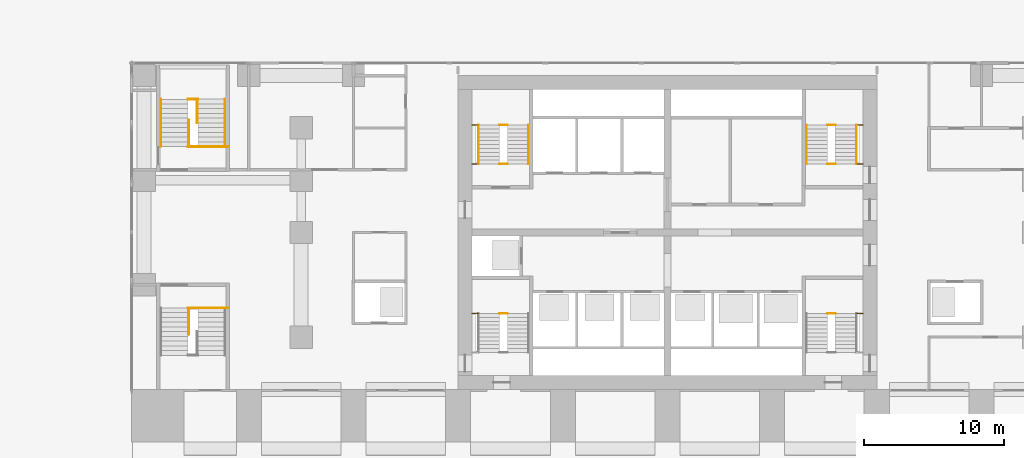
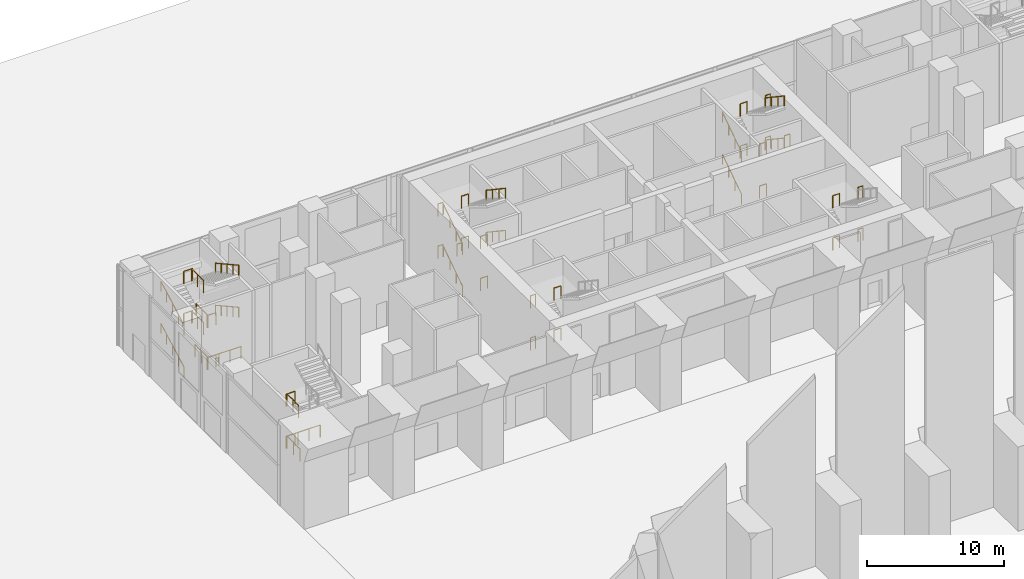
# One storey, part 19 of 21: 48 railings.
"""IFC4 building model written with IfcOpenShell, lengths in metres."""

from ifc_helpers import new_model, si_unit, direction, frame, origin, origin_2d, place, context, subcontext, project, spatial, circle, extrude, material, type_object, element, save


model = new_model("IFC4")

# Units and contexts
model_context = context("Model", 3, precision=1e-05, world=origin(), true_north=direction((0.0, 1.0)))
body_context = subcontext(model_context, "Body", "Model", "MODEL_VIEW")
ifc_project = project(units=[si_unit("LENGTHUNIT", "METRE"), si_unit("AREAUNIT", "SQUARE_METRE"), si_unit("VOLUMEUNIT", "CUBIC_METRE"), si_unit("PLANEANGLEUNIT", "RADIAN"), si_unit("MASSUNIT", "GRAM", prefix="KILO")], contexts=[model_context])

# Site, building, storey
site_placement = place(None, origin())
site = spatial("IfcSite", under=ifc_project, at=site_placement, CompositionType="ELEMENT")
building_placement = place(site_placement, origin())
building = spatial("IfcBuilding", under=site, at=building_placement, Name="Pilkhan Gate Tower", CompositionType="ELEMENT")
storey_placement = place(building_placement, origin())
storey = spatial("IfcBuildingStorey", under=building, at=storey_placement, Name="L00", CompositionType="ELEMENT", Elevation=0.0)

# Railings
ifc_material_1 = material(Name="Black powder-coated steel tube", Category="steel")
railing_type_1 = type_object("IfcRailingType", Name="Stair handrail HR1", PredefinedType="HANDRAIL", material=ifc_material_1)
railing_1_placement = place(storey_placement, frame((61.449951171875, 87.39990234375, 0.0)))
element("IfcRailing", 1, at=railing_1_placement, inside=storey, type_object=railing_type_1, Name="Stair ST3 handrail L00", PredefinedType="HANDRAIL", context=body_context, shape_type="SweptSolid", body=[
    extrude(circle(Radius=0.02392578125, at=origin_2d()), frame((0.0, 0.0, 0.8759765625), z_axis=(0.0, 0.830911662861, 0.55640435703), x_axis=(-1.0, 0.0, 0.0)), (0.0, 0.0, 1.0), 3.369873046875),
    extrude(circle(Radius=0.02099609375, at=origin_2d()), origin(), (0.0, 0.0, 1.0), 0.851806640625),
    extrude(circle(Radius=0.02099609375, at=origin_2d()), frame((0.0, 0.933349609375, 0.625)), (0.0, 0.0, 1.0), 0.851806640625),
    extrude(circle(Radius=0.02099609375, at=origin_2d()), frame((0.0, 1.86669921875, 1.25)), (0.0, 0.0, 1.0), 0.851806640625),
    extrude(circle(Radius=0.02099609375, at=origin_2d()), frame((0.0, 2.800048828125, 1.875)), (0.0, 0.0, 1.0), 0.851806640625),
])
railing_2_placement = place(storey_placement, frame((65.050048828125, 90.199951171875, 1.875)))
element("IfcRailing", 2, at=railing_2_placement, inside=storey, type_object=railing_type_1, Name="Stair ST3 handrail L00", PredefinedType="HANDRAIL", context=body_context, shape_type="SweptSolid", body=[
    extrude(circle(Radius=0.02392578125, at=origin_2d()), frame((0.0, 0.0, 0.8759765625), z_axis=(0.0, -0.830911662861, 0.55640435703), x_axis=(1.0, 0.0, 0.0)), (0.0, 0.0, 1.0), 3.369873046875),
    extrude(circle(Radius=0.02099609375, at=origin_2d()), origin(), (0.0, 0.0, 1.0), 0.851806640625),
    extrude(circle(Radius=0.02099609375, at=origin_2d()), frame((0.0, -0.933349609375, 0.625)), (0.0, 0.0, 1.0), 0.851806640625),
    extrude(circle(Radius=0.02099609375, at=origin_2d()), frame((0.0, -1.86669921875, 1.25)), (0.0, 0.0, 1.0), 0.851806640625),
    extrude(circle(Radius=0.02099609375, at=origin_2d()), frame((0.0, -2.800048828125, 1.875)), (0.0, 0.0, 1.0), 0.851806640625),
])
railing_3_placement = place(storey_placement, frame((61.449951171875, 87.39990234375, 3.75)))
element("IfcRailing", 3, at=railing_3_placement, inside=storey, type_object=railing_type_1, Name="Stair ST3 handrail L00", PredefinedType="HANDRAIL", context=body_context, shape_type="SweptSolid", body=[
    extrude(circle(Radius=0.02392578125, at=origin_2d()), frame((0.0, 0.0, 0.8759765625), z_axis=(0.0, 0.830911662861, 0.55640435703), x_axis=(-1.0, 0.0, 0.0)), (0.0, 0.0, 1.0), 3.369873046875),
    extrude(circle(Radius=0.02099609375, at=origin_2d()), origin(), (0.0, 0.0, 1.0), 0.851806640625),
    extrude(circle(Radius=0.02099609375, at=origin_2d()), frame((0.0, 0.933349609375, 0.625)), (0.0, 0.0, 1.0), 0.851806640625),
    extrude(circle(Radius=0.02099609375, at=origin_2d()), frame((0.0, 1.86669921875, 1.25)), (0.0, 0.0, 1.0), 0.851806640625),
    extrude(circle(Radius=0.02099609375, at=origin_2d()), frame((0.0, 2.800048828125, 1.875)), (0.0, 0.0, 1.0), 0.851806640625),
])
railing_4_placement = place(storey_placement, frame((65.050048828125, 90.199951171875, 5.625)))
element("IfcRailing", 4, at=railing_4_placement, inside=storey, type_object=railing_type_1, Name="Stair ST3 handrail L00", PredefinedType="HANDRAIL", context=body_context, shape_type="SweptSolid", body=[
    extrude(circle(Radius=0.02392578125, at=origin_2d()), frame((0.0, 0.0, 0.8759765625), z_axis=(0.0, -0.830911662861, 0.55640435703), x_axis=(1.0, 0.0, 0.0)), (0.0, 0.0, 1.0), 3.369873046875),
    extrude(circle(Radius=0.02099609375, at=origin_2d()), origin(), (0.0, 0.0, 1.0), 0.851806640625),
    extrude(circle(Radius=0.02099609375, at=origin_2d()), frame((0.0, -0.933349609375, 0.625)), (0.0, 0.0, 1.0), 0.851806640625),
    extrude(circle(Radius=0.02099609375, at=origin_2d()), frame((0.0, -1.86669921875, 1.25)), (0.0, 0.0, 1.0), 0.851806640625),
    extrude(circle(Radius=0.02099609375, at=origin_2d()), frame((0.0, -2.800048828125, 1.875)), (0.0, 0.0, 1.0), 0.851806640625),
])
railing_5_placement = place(storey_placement, frame((84.949951171875, 87.39990234375, 0.0)))
element("IfcRailing", 5, at=railing_5_placement, inside=storey, type_object=railing_type_1, Name="Stair ST4 handrail L00", PredefinedType="HANDRAIL", context=body_context, shape_type="SweptSolid", body=[
    extrude(circle(Radius=0.02392578125, at=origin_2d()), frame((0.0, 0.0, 0.8759765625), z_axis=(0.0, 0.830911662861, 0.55640435703), x_axis=(-1.0, 0.0, 0.0)), (0.0, 0.0, 1.0), 3.369873046875),
    extrude(circle(Radius=0.02099609375, at=origin_2d()), origin(), (0.0, 0.0, 1.0), 0.851806640625),
    extrude(circle(Radius=0.02099609375, at=origin_2d()), frame((0.0, 0.933349609375, 0.625)), (0.0, 0.0, 1.0), 0.851806640625),
    extrude(circle(Radius=0.02099609375, at=origin_2d()), frame((0.0, 1.86669921875, 1.25)), (0.0, 0.0, 1.0), 0.851806640625),
    extrude(circle(Radius=0.02099609375, at=origin_2d()), frame((0.0, 2.800048828125, 1.875)), (0.0, 0.0, 1.0), 0.851806640625),
])
railing_6_placement = place(storey_placement, frame((88.550048828125, 90.199951171875, 1.875)))
element("IfcRailing", 6, at=railing_6_placement, inside=storey, type_object=railing_type_1, Name="Stair ST4 handrail L00", PredefinedType="HANDRAIL", context=body_context, shape_type="SweptSolid", body=[
    extrude(circle(Radius=0.02392578125, at=origin_2d()), frame((0.0, 0.0, 0.8759765625), z_axis=(0.0, -0.830911662861, 0.55640435703), x_axis=(1.0, 0.0, 0.0)), (0.0, 0.0, 1.0), 3.369873046875),
    extrude(circle(Radius=0.02099609375, at=origin_2d()), origin(), (0.0, 0.0, 1.0), 0.851806640625),
    extrude(circle(Radius=0.02099609375, at=origin_2d()), frame((0.0, -0.933349609375, 0.625)), (0.0, 0.0, 1.0), 0.851806640625),
    extrude(circle(Radius=0.02099609375, at=origin_2d()), frame((0.0, -1.86669921875, 1.25)), (0.0, 0.0, 1.0), 0.851806640625),
    extrude(circle(Radius=0.02099609375, at=origin_2d()), frame((0.0, -2.800048828125, 1.875)), (0.0, 0.0, 1.0), 0.851806640625),
])
railing_7_placement = place(storey_placement, frame((84.949951171875, 87.39990234375, 3.75)))
element("IfcRailing", 7, at=railing_7_placement, inside=storey, type_object=railing_type_1, Name="Stair ST4 handrail L00", PredefinedType="HANDRAIL", context=body_context, shape_type="SweptSolid", body=[
    extrude(circle(Radius=0.02392578125, at=origin_2d()), frame((0.0, 0.0, 0.8759765625), z_axis=(0.0, 0.830911662861, 0.55640435703), x_axis=(-1.0, 0.0, 0.0)), (0.0, 0.0, 1.0), 3.369873046875),
    extrude(circle(Radius=0.02099609375, at=origin_2d()), origin(), (0.0, 0.0, 1.0), 0.851806640625),
    extrude(circle(Radius=0.02099609375, at=origin_2d()), frame((0.0, 0.933349609375, 0.625)), (0.0, 0.0, 1.0), 0.851806640625),
    extrude(circle(Radius=0.02099609375, at=origin_2d()), frame((0.0, 1.86669921875, 1.25)), (0.0, 0.0, 1.0), 0.851806640625),
    extrude(circle(Radius=0.02099609375, at=origin_2d()), frame((0.0, 2.800048828125, 1.875)), (0.0, 0.0, 1.0), 0.851806640625),
])
railing_8_placement = place(storey_placement, frame((88.550048828125, 90.199951171875, 5.625)))
element("IfcRailing", 8, at=railing_8_placement, inside=storey, type_object=railing_type_1, Name="Stair ST4 handrail L00", PredefinedType="HANDRAIL", context=body_context, shape_type="SweptSolid", body=[
    extrude(circle(Radius=0.02392578125, at=origin_2d()), frame((0.0, 0.0, 0.8759765625), z_axis=(0.0, -0.830911662861, 0.55640435703), x_axis=(1.0, 0.0, 0.0)), (0.0, 0.0, 1.0), 3.369873046875),
    extrude(circle(Radius=0.02099609375, at=origin_2d()), origin(), (0.0, 0.0, 1.0), 0.851806640625),
    extrude(circle(Radius=0.02099609375, at=origin_2d()), frame((0.0, -0.933349609375, 0.625)), (0.0, 0.0, 1.0), 0.851806640625),
    extrude(circle(Radius=0.02099609375, at=origin_2d()), frame((0.0, -1.86669921875, 1.25)), (0.0, 0.0, 1.0), 0.851806640625),
    extrude(circle(Radius=0.02099609375, at=origin_2d()), frame((0.0, -2.800048828125, 1.875)), (0.0, 0.0, 1.0), 0.851806640625),
])
railing_9_placement = place(storey_placement, frame((38.699951171875, 88.64990234375, 0.0)))
element("IfcRailing", 9, at=railing_9_placement, inside=storey, type_object=railing_type_1, Name="Stair PS1 handrail L00", PredefinedType="HANDRAIL", context=body_context, shape_type="SweptSolid", body=[
    extrude(circle(Radius=0.02392578125, at=origin_2d()), frame((0.0, 0.0, 0.8759765625), z_axis=(0.0, 0.875680375818, 0.482891167249), x_axis=(-1.0, 0.0, 0.0)), (0.0, 0.0, 1.0), 3.8828125),
    extrude(circle(Radius=0.02099609375, at=origin_2d()), origin(), (0.0, 0.0, 1.0), 0.851806640625),
    extrude(circle(Radius=0.02099609375, at=origin_2d()), frame((0.0, 0.85009765625, 0.46875)), (0.0, 0.0, 1.0), 0.851806640625),
    extrude(circle(Radius=0.02099609375, at=origin_2d()), frame((0.0, 1.7001953125, 0.9375)), (0.0, 0.0, 1.0), 0.851806640625),
    extrude(circle(Radius=0.02099609375, at=origin_2d()), frame((0.0, 2.550048828125, 1.40625)), (0.0, 0.0, 1.0), 0.851806640625),
    extrude(circle(Radius=0.02099609375, at=origin_2d()), frame((0.0, 3.400146484375, 1.875)), (0.0, 0.0, 1.0), 0.851806640625),
])
railing_10_placement = place(storey_placement, frame((43.300048828125, 92.050048828125, 1.875)))
element("IfcRailing", 10, at=railing_10_placement, inside=storey, type_object=railing_type_1, Name="Stair PS1 handrail L00", PredefinedType="HANDRAIL", context=body_context, shape_type="SweptSolid", body=[
    extrude(circle(Radius=0.02392578125, at=origin_2d()), frame((0.0, 0.0, 0.8759765625), z_axis=(0.0, -0.875680375818, 0.482891167249), x_axis=(1.0, 0.0, 0.0)), (0.0, 0.0, 1.0), 3.8828125),
    extrude(circle(Radius=0.02099609375, at=origin_2d()), origin(), (0.0, 0.0, 1.0), 0.851806640625),
    extrude(circle(Radius=0.02099609375, at=origin_2d()), frame((0.0, -0.85009765625, 0.46875)), (0.0, 0.0, 1.0), 0.851806640625),
    extrude(circle(Radius=0.02099609375, at=origin_2d()), frame((0.0, -1.7001953125, 0.9375)), (0.0, 0.0, 1.0), 0.851806640625),
    extrude(circle(Radius=0.02099609375, at=origin_2d()), frame((0.0, -2.550048828125, 1.40625)), (0.0, 0.0, 1.0), 0.851806640625),
    extrude(circle(Radius=0.02099609375, at=origin_2d()), frame((0.0, -3.400146484375, 1.875)), (0.0, 0.0, 1.0), 0.851806640625),
])
railing_11_placement = place(storey_placement, frame((38.699951171875, 88.64990234375, 3.75)))
element("IfcRailing", 11, at=railing_11_placement, inside=storey, type_object=railing_type_1, Name="Stair PS1 handrail L00", PredefinedType="HANDRAIL", context=body_context, shape_type="SweptSolid", body=[
    extrude(circle(Radius=0.02392578125, at=origin_2d()), frame((0.0, 0.0, 0.8759765625), z_axis=(0.0, 0.875680375818, 0.482891167249), x_axis=(-1.0, 0.0, 0.0)), (0.0, 0.0, 1.0), 3.8828125),
    extrude(circle(Radius=0.02099609375, at=origin_2d()), origin(), (0.0, 0.0, 1.0), 0.851806640625),
    extrude(circle(Radius=0.02099609375, at=origin_2d()), frame((0.0, 0.85009765625, 0.46875)), (0.0, 0.0, 1.0), 0.851806640625),
    extrude(circle(Radius=0.02099609375, at=origin_2d()), frame((0.0, 1.7001953125, 0.9375)), (0.0, 0.0, 1.0), 0.851806640625),
    extrude(circle(Radius=0.02099609375, at=origin_2d()), frame((0.0, 2.550048828125, 1.40625)), (0.0, 0.0, 1.0), 0.851806640625),
    extrude(circle(Radius=0.02099609375, at=origin_2d()), frame((0.0, 3.400146484375, 1.875)), (0.0, 0.0, 1.0), 0.851806640625),
])
railing_12_placement = place(storey_placement, frame((43.300048828125, 92.050048828125, 5.625)))
element("IfcRailing", 12, at=railing_12_placement, inside=storey, type_object=railing_type_1, Name="Stair PS1 handrail L00", PredefinedType="HANDRAIL", context=body_context, shape_type="SweptSolid", body=[
    extrude(circle(Radius=0.02392578125, at=origin_2d()), frame((0.0, 0.0, 0.8759765625), z_axis=(0.0, -0.875680375818, 0.482891167249), x_axis=(1.0, 0.0, 0.0)), (0.0, 0.0, 1.0), 3.8828125),
    extrude(circle(Radius=0.02099609375, at=origin_2d()), origin(), (0.0, 0.0, 1.0), 0.851806640625),
    extrude(circle(Radius=0.02099609375, at=origin_2d()), frame((0.0, -0.85009765625, 0.46875)), (0.0, 0.0, 1.0), 0.851806640625),
    extrude(circle(Radius=0.02099609375, at=origin_2d()), frame((0.0, -1.7001953125, 0.9375)), (0.0, 0.0, 1.0), 0.851806640625),
    extrude(circle(Radius=0.02099609375, at=origin_2d()), frame((0.0, -2.550048828125, 1.40625)), (0.0, 0.0, 1.0), 0.851806640625),
    extrude(circle(Radius=0.02099609375, at=origin_2d()), frame((0.0, -3.400146484375, 1.875)), (0.0, 0.0, 1.0), 0.851806640625),
])
ifc_material_2 = material(Name="Black powder-coated steel balusters", Category="steel")
railing_type_2 = type_object("IfcRailingType", Name="Stair well guard G3", PredefinedType="GUARDRAIL", material=ifc_material_2)
for number, where, name in (
    (13, (88.580078125, 76.699951171875, 1.875), "Stair ST1 well guard L00"),
    (14, (88.580078125, 76.699951171875, 5.625), "Stair ST1 well guard L00"),
):
    element("IfcRailing", number, at=place(storey_placement, frame(where)), inside=storey, type_object=railing_type_2, Name=name, PredefinedType="GUARDRAIL", context=body_context, shape_type="SweptSolid", body=[
        extrude(circle(Radius=0.02392578125, at=origin_2d()), frame((0.0, 0.0, 1.076171875), z_axis=(1.0, 0.0, 0.0), x_axis=(0.0, 1.0, 0.0)), (0.0, 0.0, 1.0), 0.43994140625),
        extrude(circle(Radius=0.02099609375, at=origin_2d()), origin(), (0.0, 0.0, 1.0), 1.052001953125),
        extrude(circle(Radius=0.02099609375, at=origin_2d()), frame((0.43994140625, 0.0, 0.0)), (0.0, 0.0, 1.0), 1.052001953125),
    ])
for number, where, name in (
    (15, (86.4599609375, 76.699951171875, 1.875), "Stair ST1 well guard L00"),
    (16, (86.4599609375, 76.699951171875, 5.625), "Stair ST1 well guard L00"),
):
    element("IfcRailing", number, at=place(storey_placement, frame(where)), inside=storey, type_object=railing_type_2, Name=name, PredefinedType="GUARDRAIL", context=body_context, shape_type="SweptSolid", body=[
        extrude(circle(Radius=0.02392578125, at=origin_2d()), frame((0.0, 0.0, 1.076171875), z_axis=(1.0, 0.0, 0.0), x_axis=(0.0, 1.0, 0.0)), (0.0, 0.0, 1.0), 0.580078125),
        extrude(circle(Radius=0.02099609375, at=origin_2d()), origin(), (0.0, 0.0, 1.0), 1.052001953125),
        extrude(circle(Radius=0.02099609375, at=origin_2d()), frame((0.580078125, 0.0, 0.0)), (0.0, 0.0, 1.0), 1.052001953125),
    ])
for number, where, name in (
    (17, (60.97998046875, 76.699951171875, 1.875), "Stair ST2 well guard L00"),
    (18, (60.97998046875, 76.699951171875, 5.625), "Stair ST2 well guard L00"),
):
    element("IfcRailing", number, at=place(storey_placement, frame(where)), inside=storey, type_object=railing_type_2, Name=name, PredefinedType="GUARDRAIL", context=body_context, shape_type="SweptSolid", body=[
        extrude(circle(Radius=0.02392578125, at=origin_2d()), frame((0.0, 0.0, 1.076171875), z_axis=(1.0, 0.0, 0.0), x_axis=(0.0, 1.0, 0.0)), (0.0, 0.0, 1.0), 0.43994140625),
        extrude(circle(Radius=0.02099609375, at=origin_2d()), origin(), (0.0, 0.0, 1.0), 1.052001953125),
        extrude(circle(Radius=0.02099609375, at=origin_2d()), frame((0.43994140625, 0.0, 0.0)), (0.0, 0.0, 1.0), 1.052001953125),
    ])
for number, where, name in (
    (19, (62.9599609375, 76.699951171875, 1.875), "Stair ST2 well guard L00"),
    (20, (62.9599609375, 76.699951171875, 5.625), "Stair ST2 well guard L00"),
):
    element("IfcRailing", number, at=place(storey_placement, frame(where)), inside=storey, type_object=railing_type_2, Name=name, PredefinedType="GUARDRAIL", context=body_context, shape_type="SweptSolid", body=[
        extrude(circle(Radius=0.02392578125, at=origin_2d()), frame((0.0, 0.0, 1.076171875), z_axis=(1.0, 0.0, 0.0), x_axis=(0.0, 1.0, 0.0)), (0.0, 0.0, 1.0), 0.580078125),
        extrude(circle(Radius=0.02099609375, at=origin_2d()), origin(), (0.0, 0.0, 1.0), 1.052001953125),
        extrude(circle(Radius=0.02099609375, at=origin_2d()), frame((0.580078125, 0.0, 0.0)), (0.0, 0.0, 1.0), 1.052001953125),
    ])
for number, where, name in (
    (21, (60.97998046875, 90.199951171875, 1.875), "Stair ST3 well guard L00"),
    (22, (60.97998046875, 87.39990234375, 3.75), "Stair ST3 well guard L00"),
    (23, (60.97998046875, 90.199951171875, 5.625), "Stair ST3 well guard L00"),
):
    element("IfcRailing", number, at=place(storey_placement, frame(where)), inside=storey, type_object=railing_type_2, Name=name, PredefinedType="GUARDRAIL", context=body_context, shape_type="SweptSolid", body=[
        extrude(circle(Radius=0.02392578125, at=origin_2d()), frame((0.0, 0.0, 1.076171875), z_axis=(1.0, 0.0, 0.0), x_axis=(0.0, 1.0, 0.0)), (0.0, 0.0, 1.0), 0.43994140625),
        extrude(circle(Radius=0.02099609375, at=origin_2d()), origin(), (0.0, 0.0, 1.0), 1.052001953125),
        extrude(circle(Radius=0.02099609375, at=origin_2d()), frame((0.43994140625, 0.0, 0.0)), (0.0, 0.0, 1.0), 1.052001953125),
    ])
for number, where, name in (
    (24, (62.9599609375, 87.39990234375, 0.0), "Stair ST3 well guard L00"),
    (25, (62.9599609375, 90.199951171875, 1.875), "Stair ST3 well guard L00"),
    (26, (62.9599609375, 87.39990234375, 3.75), "Stair ST3 well guard L00"),
    (27, (62.9599609375, 90.199951171875, 5.625), "Stair ST3 well guard L00"),
):
    element("IfcRailing", number, at=place(storey_placement, frame(where)), inside=storey, type_object=railing_type_2, Name=name, PredefinedType="GUARDRAIL", context=body_context, shape_type="SweptSolid", body=[
        extrude(circle(Radius=0.02392578125, at=origin_2d()), frame((0.0, 0.0, 1.076171875), z_axis=(1.0, 0.0, 0.0), x_axis=(0.0, 1.0, 0.0)), (0.0, 0.0, 1.0), 0.580078125),
        extrude(circle(Radius=0.02099609375, at=origin_2d()), origin(), (0.0, 0.0, 1.0), 1.052001953125),
        extrude(circle(Radius=0.02099609375, at=origin_2d()), frame((0.580078125, 0.0, 0.0)), (0.0, 0.0, 1.0), 1.052001953125),
    ])
for number, where, name in (
    (28, (88.580078125, 90.199951171875, 1.875), "Stair ST4 well guard L00"),
    (29, (88.580078125, 87.39990234375, 3.75), "Stair ST4 well guard L00"),
    (30, (88.580078125, 90.199951171875, 5.625), "Stair ST4 well guard L00"),
):
    element("IfcRailing", number, at=place(storey_placement, frame(where)), inside=storey, type_object=railing_type_2, Name=name, PredefinedType="GUARDRAIL", context=body_context, shape_type="SweptSolid", body=[
        extrude(circle(Radius=0.02392578125, at=origin_2d()), frame((0.0, 0.0, 1.076171875), z_axis=(1.0, 0.0, 0.0), x_axis=(0.0, 1.0, 0.0)), (0.0, 0.0, 1.0), 0.43994140625),
        extrude(circle(Radius=0.02099609375, at=origin_2d()), origin(), (0.0, 0.0, 1.0), 1.052001953125),
        extrude(circle(Radius=0.02099609375, at=origin_2d()), frame((0.43994140625, 0.0, 0.0)), (0.0, 0.0, 1.0), 1.052001953125),
    ])
for number, where, name in (
    (31, (86.4599609375, 87.39990234375, 0.0), "Stair ST4 well guard L00"),
    (32, (86.4599609375, 90.199951171875, 1.875), "Stair ST4 well guard L00"),
    (33, (86.4599609375, 87.39990234375, 3.75), "Stair ST4 well guard L00"),
    (34, (86.4599609375, 90.199951171875, 5.625), "Stair ST4 well guard L00"),
):
    element("IfcRailing", number, at=place(storey_placement, frame(where)), inside=storey, type_object=railing_type_2, Name=name, PredefinedType="GUARDRAIL", context=body_context, shape_type="SweptSolid", body=[
        extrude(circle(Radius=0.02392578125, at=origin_2d()), frame((0.0, 0.0, 1.076171875), z_axis=(1.0, 0.0, 0.0), x_axis=(0.0, 1.0, 0.0)), (0.0, 0.0, 1.0), 0.580078125),
        extrude(circle(Radius=0.02099609375, at=origin_2d()), origin(), (0.0, 0.0, 1.0), 1.052001953125),
        extrude(circle(Radius=0.02099609375, at=origin_2d()), frame((0.580078125, 0.0, 0.0)), (0.0, 0.0, 1.0), 1.052001953125),
    ])
railing_13_placement = place(storey_placement, frame((40.6298828125, 88.64990234375, 0.0)))
element("IfcRailing", 35, at=railing_13_placement, inside=storey, type_object=railing_type_2, Name="Stair PS1 well guard L00", PredefinedType="GUARDRAIL", context=body_context, shape_type="SweptSolid", body=[
    extrude(circle(Radius=0.02392578125, at=origin_2d()), frame((0.0, 0.0, 1.076171875), z_axis=(1.0, 0.0, 0.0), x_axis=(0.0, 1.0, 0.0)), (0.0, 0.0, 1.0), 0.740234375),
    extrude(circle(Radius=0.02099609375, at=origin_2d()), origin(), (0.0, 0.0, 1.0), 1.052001953125),
    extrude(circle(Radius=0.02099609375, at=origin_2d()), frame((0.740234375, 0.0, 0.0)), (0.0, 0.0, 1.0), 1.052001953125),
])
railing_14_placement = place(storey_placement, frame((40.699951171875, 88.64990234375, 0.0)))
element("IfcRailing", 36, at=railing_14_placement, inside=storey, type_object=railing_type_2, Name="Stair PS1 well guard L00", PredefinedType="GUARDRAIL", context=body_context, shape_type="SweptSolid", body=[
    extrude(circle(Radius=0.02392578125, at=origin_2d()), frame((0.0, 0.0, 1.076171875), z_axis=(1.0, 0.0, 0.0), x_axis=(0.0, 1.0, 0.0)), (0.0, 0.0, 1.0), 2.800048828125),
    extrude(circle(Radius=0.02099609375, at=origin_2d()), origin(), (0.0, 0.0, 1.0), 1.052001953125),
    extrude(circle(Radius=0.02099609375, at=origin_2d()), frame((0.933349609375, 0.0, 0.0)), (0.0, 0.0, 1.0), 1.052001953125),
    extrude(circle(Radius=0.02099609375, at=origin_2d()), frame((1.86669921875, 0.0, 0.0)), (0.0, 0.0, 1.0), 1.052001953125),
    extrude(circle(Radius=0.02099609375, at=origin_2d()), frame((2.800048828125, 0.0, 0.0)), (0.0, 0.0, 1.0), 1.052001953125),
])
railing_15_placement = place(storey_placement, frame((40.699951171875, 88.64990234375, 0.0)))
element("IfcRailing", 37, at=railing_15_placement, inside=storey, type_object=railing_type_2, Name="Stair PS1 well guard L00", PredefinedType="GUARDRAIL", context=body_context, shape_type="SweptSolid", body=[
    extrude(circle(Radius=0.02392578125, at=origin_2d()), frame((0.0, 0.0, 1.076171875), z_axis=(0.0, 1.0, 0.0), x_axis=(-1.0, 0.0, 0.0)), (0.0, 0.0, 1.0), 1.900146484375),
    extrude(circle(Radius=0.02099609375, at=origin_2d()), origin(), (0.0, 0.0, 1.0), 1.052001953125),
    extrude(circle(Radius=0.02099609375, at=origin_2d()), frame((0.0, 0.9501953125, 0.0)), (0.0, 0.0, 1.0), 1.052001953125),
    extrude(circle(Radius=0.02099609375, at=origin_2d()), frame((0.0, 1.900146484375, 0.0)), (0.0, 0.0, 1.0), 1.052001953125),
])
railing_16_placement = place(storey_placement, frame((40.6298828125, 92.050048828125, 1.875)))
element("IfcRailing", 38, at=railing_16_placement, inside=storey, type_object=railing_type_2, Name="Stair PS1 well guard L00", PredefinedType="GUARDRAIL", context=body_context, shape_type="SweptSolid", body=[
    extrude(circle(Radius=0.02392578125, at=origin_2d()), frame((0.0, 0.0, 1.076171875), z_axis=(1.0, 0.0, 0.0), x_axis=(0.0, 1.0, 0.0)), (0.0, 0.0, 1.0), 0.740234375),
    extrude(circle(Radius=0.02099609375, at=origin_2d()), origin(), (0.0, 0.0, 1.0), 1.052001953125),
    extrude(circle(Radius=0.02099609375, at=origin_2d()), frame((0.740234375, 0.0, 0.0)), (0.0, 0.0, 1.0), 1.052001953125),
])
railing_17_placement = place(storey_placement, frame((41.300048828125, 90.35009765625, 1.875)))
element("IfcRailing", 39, at=railing_17_placement, inside=storey, type_object=railing_type_2, Name="Stair PS1 well guard L00", PredefinedType="GUARDRAIL", context=body_context, shape_type="SweptSolid", body=[
    extrude(circle(Radius=0.02392578125, at=origin_2d()), frame((0.0, 0.0, 1.076171875), z_axis=(0.0, 1.0, 0.0), x_axis=(-1.0, 0.0, 0.0)), (0.0, 0.0, 1.0), 1.699951171875),
    extrude(circle(Radius=0.02099609375, at=origin_2d()), origin(), (0.0, 0.0, 1.0), 1.052001953125),
    extrude(circle(Radius=0.02099609375, at=origin_2d()), frame((0.0, 0.85009765625, 0.0)), (0.0, 0.0, 1.0), 1.052001953125),
    extrude(circle(Radius=0.02099609375, at=origin_2d()), frame((0.0, 1.699951171875, 0.0)), (0.0, 0.0, 1.0), 1.052001953125),
])
railing_18_placement = place(storey_placement, frame((40.6298828125, 88.64990234375, 3.75)))
element("IfcRailing", 40, at=railing_18_placement, inside=storey, type_object=railing_type_2, Name="Stair PS1 well guard L00", PredefinedType="GUARDRAIL", context=body_context, shape_type="SweptSolid", body=[
    extrude(circle(Radius=0.02392578125, at=origin_2d()), frame((0.0, 0.0, 1.076171875), z_axis=(1.0, 0.0, 0.0), x_axis=(0.0, 1.0, 0.0)), (0.0, 0.0, 1.0), 0.740234375),
    extrude(circle(Radius=0.02099609375, at=origin_2d()), origin(), (0.0, 0.0, 1.0), 1.052001953125),
    extrude(circle(Radius=0.02099609375, at=origin_2d()), frame((0.740234375, 0.0, 0.0)), (0.0, 0.0, 1.0), 1.052001953125),
])
railing_19_placement = place(storey_placement, frame((40.699951171875, 88.64990234375, 3.75)))
element("IfcRailing", 41, at=railing_19_placement, inside=storey, type_object=railing_type_2, Name="Stair PS1 well guard L00", PredefinedType="GUARDRAIL", context=body_context, shape_type="SweptSolid", body=[
    extrude(circle(Radius=0.02392578125, at=origin_2d()), frame((0.0, 0.0, 1.076171875), z_axis=(0.0, 1.0, 0.0), x_axis=(-1.0, 0.0, 0.0)), (0.0, 0.0, 1.0), 1.7001953125),
    extrude(circle(Radius=0.02099609375, at=origin_2d()), origin(), (0.0, 0.0, 1.0), 1.052001953125),
    extrude(circle(Radius=0.02099609375, at=origin_2d()), frame((0.0, 0.85009765625, 0.0)), (0.0, 0.0, 1.0), 1.052001953125),
    extrude(circle(Radius=0.02099609375, at=origin_2d()), frame((0.0, 1.7001953125, 0.0)), (0.0, 0.0, 1.0), 1.052001953125),
])
railing_20_placement = place(storey_placement, frame((40.6298828125, 92.050048828125, 5.625)))
element("IfcRailing", 42, at=railing_20_placement, inside=storey, type_object=railing_type_2, Name="Stair PS1 well guard L00", PredefinedType="GUARDRAIL", context=body_context, shape_type="SweptSolid", body=[
    extrude(circle(Radius=0.02392578125, at=origin_2d()), frame((0.0, 0.0, 1.076171875), z_axis=(1.0, 0.0, 0.0), x_axis=(0.0, 1.0, 0.0)), (0.0, 0.0, 1.0), 0.740234375),
    extrude(circle(Radius=0.02099609375, at=origin_2d()), origin(), (0.0, 0.0, 1.0), 1.052001953125),
    extrude(circle(Radius=0.02099609375, at=origin_2d()), frame((0.740234375, 0.0, 0.0)), (0.0, 0.0, 1.0), 1.052001953125),
])
railing_21_placement = place(storey_placement, frame((41.300048828125, 90.35009765625, 5.625)))
element("IfcRailing", 43, at=railing_21_placement, inside=storey, type_object=railing_type_2, Name="Stair PS1 well guard L00", PredefinedType="GUARDRAIL", context=body_context, shape_type="SweptSolid", body=[
    extrude(circle(Radius=0.02392578125, at=origin_2d()), frame((0.0, 0.0, 1.076171875), z_axis=(0.0, 1.0, 0.0), x_axis=(-1.0, 0.0, 0.0)), (0.0, 0.0, 1.0), 1.699951171875),
    extrude(circle(Radius=0.02099609375, at=origin_2d()), origin(), (0.0, 0.0, 1.0), 1.052001953125),
    extrude(circle(Radius=0.02099609375, at=origin_2d()), frame((0.0, 0.85009765625, 0.0)), (0.0, 0.0, 1.0), 1.052001953125),
    extrude(circle(Radius=0.02099609375, at=origin_2d()), frame((0.0, 1.699951171875, 0.0)), (0.0, 0.0, 1.0), 1.052001953125),
])
railing_22_placement = place(storey_placement, frame((40.6298828125, 77.10009765625, 0.0)))
element("IfcRailing", 44, at=railing_22_placement, inside=storey, type_object=railing_type_2, Name="Stair PS3 well guard L00", PredefinedType="GUARDRAIL", context=body_context, shape_type="SweptSolid", body=[
    extrude(circle(Radius=0.02392578125, at=origin_2d()), frame((0.0, 0.0, 1.076171875), z_axis=(1.0, 0.0, 0.0), x_axis=(0.0, 1.0, 0.0)), (0.0, 0.0, 1.0), 0.740234375),
    extrude(circle(Radius=0.02099609375, at=origin_2d()), origin(), (0.0, 0.0, 1.0), 1.052001953125),
    extrude(circle(Radius=0.02099609375, at=origin_2d()), frame((0.740234375, 0.0, 0.0)), (0.0, 0.0, 1.0), 1.052001953125),
])
railing_23_placement = place(storey_placement, frame((40.699951171875, 77.10009765625, 0.0)))
element("IfcRailing", 45, at=railing_23_placement, inside=storey, type_object=railing_type_2, Name="Stair PS3 well guard L00", PredefinedType="GUARDRAIL", context=body_context, shape_type="SweptSolid", body=[
    extrude(circle(Radius=0.02392578125, at=origin_2d()), frame((0.0, 0.0, 1.076171875), z_axis=(1.0, 0.0, 0.0), x_axis=(0.0, 1.0, 0.0)), (0.0, 0.0, 1.0), 2.800048828125),
    extrude(circle(Radius=0.02099609375, at=origin_2d()), origin(), (0.0, 0.0, 1.0), 1.052001953125),
    extrude(circle(Radius=0.02099609375, at=origin_2d()), frame((0.933349609375, 0.0, 0.0)), (0.0, 0.0, 1.0), 1.052001953125),
    extrude(circle(Radius=0.02099609375, at=origin_2d()), frame((1.86669921875, 0.0, 0.0)), (0.0, 0.0, 1.0), 1.052001953125),
    extrude(circle(Radius=0.02099609375, at=origin_2d()), frame((2.800048828125, 0.0, 0.0)), (0.0, 0.0, 1.0), 1.052001953125),
])
railing_24_placement = place(storey_placement, frame((40.699951171875, 77.10009765625, 0.0)))
element("IfcRailing", 46, at=railing_24_placement, inside=storey, type_object=railing_type_2, Name="Stair PS3 well guard L00", PredefinedType="GUARDRAIL", context=body_context, shape_type="SweptSolid", body=[
    extrude(circle(Radius=0.02392578125, at=origin_2d()), frame((0.0, 0.0, 1.076171875), z_axis=(0.0, -1.0, 0.0), x_axis=(1.0, 0.0, 0.0)), (0.0, 0.0, 1.0), 1.900146484375),
    extrude(circle(Radius=0.02099609375, at=origin_2d()), origin(), (0.0, 0.0, 1.0), 1.052001953125),
    extrude(circle(Radius=0.02099609375, at=origin_2d()), frame((0.0, -0.9501953125, 0.0)), (0.0, 0.0, 1.0), 1.052001953125),
    extrude(circle(Radius=0.02099609375, at=origin_2d()), frame((0.0, -1.900146484375, 0.0)), (0.0, 0.0, 1.0), 1.052001953125),
])
railing_25_placement = place(storey_placement, frame((40.6298828125, 77.10009765625, 3.75)))
element("IfcRailing", 47, at=railing_25_placement, inside=storey, type_object=railing_type_2, Name="Stair PS3 well guard L00", PredefinedType="GUARDRAIL", context=body_context, shape_type="SweptSolid", body=[
    extrude(circle(Radius=0.02392578125, at=origin_2d()), frame((0.0, 0.0, 1.076171875), z_axis=(1.0, 0.0, 0.0), x_axis=(0.0, 1.0, 0.0)), (0.0, 0.0, 1.0), 0.740234375),
    extrude(circle(Radius=0.02099609375, at=origin_2d()), origin(), (0.0, 0.0, 1.0), 1.052001953125),
    extrude(circle(Radius=0.02099609375, at=origin_2d()), frame((0.740234375, 0.0, 0.0)), (0.0, 0.0, 1.0), 1.052001953125),
])
railing_26_placement = place(storey_placement, frame((40.699951171875, 77.10009765625, 3.75)))
element("IfcRailing", 48, at=railing_26_placement, inside=storey, type_object=railing_type_2, Name="Stair PS3 well guard L00", PredefinedType="GUARDRAIL", context=body_context, shape_type="SweptSolid", body=[
    extrude(circle(Radius=0.02392578125, at=origin_2d()), frame((0.0, 0.0, 1.076171875), z_axis=(0.0, -1.0, 0.0), x_axis=(1.0, 0.0, 0.0)), (0.0, 0.0, 1.0), 1.7001953125),
    extrude(circle(Radius=0.02099609375, at=origin_2d()), origin(), (0.0, 0.0, 1.0), 1.052001953125),
    extrude(circle(Radius=0.02099609375, at=origin_2d()), frame((0.0, -0.85009765625, 0.0)), (0.0, 0.0, 1.0), 1.052001953125),
    extrude(circle(Radius=0.02099609375, at=origin_2d()), frame((0.0, -1.7001953125, 0.0)), (0.0, 0.0, 1.0), 1.052001953125),
])

save(model, "model.ifc")
